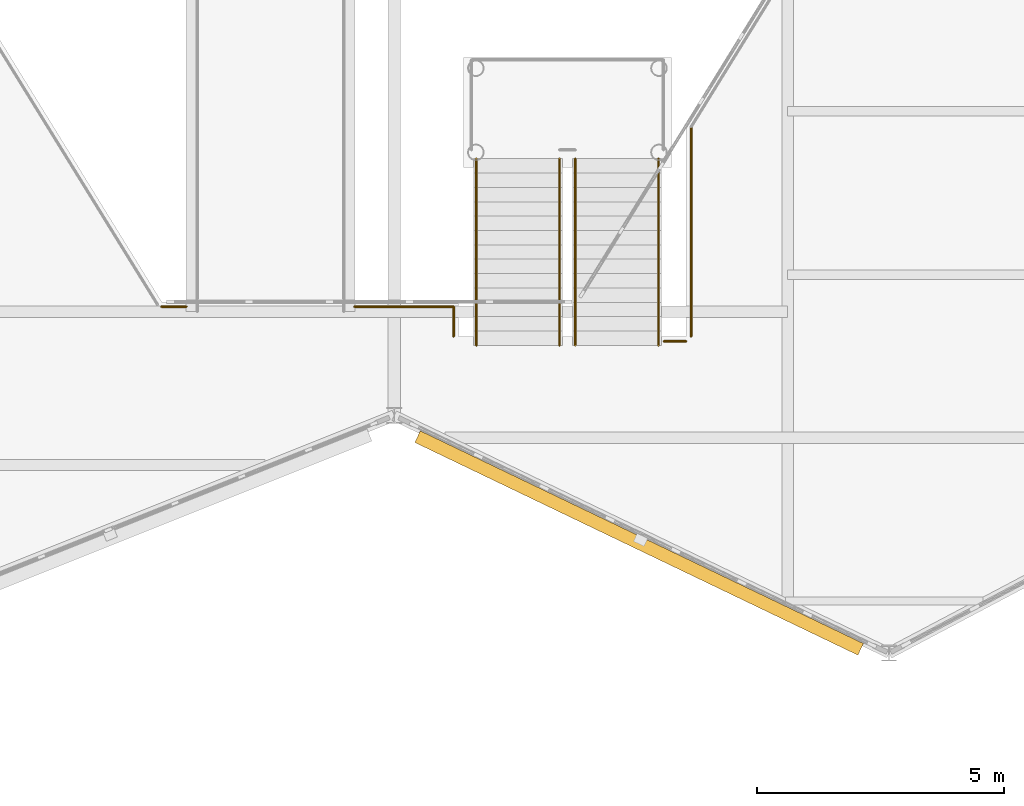
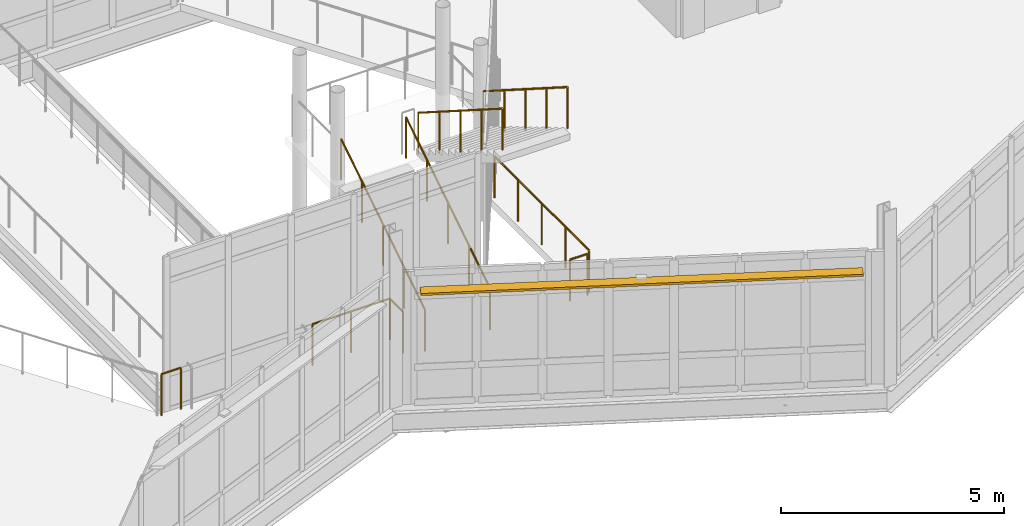
# One storey, part 108 of 114: 9 railings, 1 shading device.
"""IFC4 building model written with IfcOpenShell, lengths in metres."""

from ifc_helpers import new_model, si_unit, direction, frame, origin, origin_2d, place, context, subcontext, project, spatial, rectangle, circle, extrude, material, layer, layer_set, type_object, element, save


model = new_model("IFC4")

# Units and contexts
model_context = context("Model", 3, precision=1e-05, world=origin(), true_north=direction((0.0, 1.0)))
body_context = subcontext(model_context, "Body", "Model", "MODEL_VIEW")
ifc_project = project(units=[si_unit("LENGTHUNIT", "METRE"), si_unit("AREAUNIT", "SQUARE_METRE"), si_unit("VOLUMEUNIT", "CUBIC_METRE"), si_unit("PLANEANGLEUNIT", "RADIAN"), si_unit("MASSUNIT", "GRAM", prefix="KILO")], contexts=[model_context])

# Site, building, storey
site_placement = place(None, origin())
site = spatial("IfcSite", under=ifc_project, at=site_placement, CompositionType="ELEMENT")
building_placement = place(site_placement, origin())
building = spatial("IfcBuilding", under=site, at=building_placement, Name="Tameran Prism Museum", CompositionType="ELEMENT")
storey_placement = place(building_placement, frame((0.0, 0.0, 10.199951171875)))
storey = spatial("IfcBuildingStorey", under=building, at=storey_placement, Name="L02", CompositionType="ELEMENT", Elevation=10.199951171875)

# Railings
ifc_material_1 = material(Name="Laminated Glass and Stainless Steel 316", Category="steel")
ifc_layer_1 = layer(ifc_material_1, 0.06494140625)
ifc_layer_set_1 = layer_set([ifc_layer_1])
railing_type = type_object("IfcRailingType", Name="RL-BAL-1150", PredefinedType="BALUSTRADE", material=ifc_layer_set_1)
for number, where, name in (
    (1, (79.159912109375, 28.820068359375, 0.0), "Atrium Stair Guardrail BL-123"),
    (2, (80.840087890625, 28.820068359375, 0.0), "Atrium Stair Guardrail BL-124"),
):
    element("IfcRailing", number, at=place(storey_placement, frame(where)), inside=storey, type_object=railing_type, Name=name, PredefinedType="BALUSTRADE", context=body_context, shape_type="SweptSolid", body=[
        extrude(circle(Radius=0.02392578125, at=origin_2d()), frame((0.0, 0.0, 1.1259765625), z_axis=(0.0, 0.843555751359, 0.537041613237), x_axis=(-1.0, 0.0, 0.0)), (0.0, 0.0, 1.0), 4.46923828125),
        extrude(circle(Radius=0.02099609375, at=origin_2d()), origin(), (0.0, 0.0, 1.0), 1.101806640625),
        extrude(circle(Radius=0.02099609375, at=origin_2d()), frame((0.0, 0.9423828125, 0.60009765625)), (0.0, 0.0, 1.0), 1.101806640625),
        extrude(circle(Radius=0.02099609375, at=origin_2d()), frame((0.0, 1.885009765625, 1.2001953125)), (0.0, 0.0, 1.0), 1.101806640625),
        extrude(circle(Radius=0.02099609375, at=origin_2d()), frame((0.0, 2.82763671875, 1.800048828125)), (0.0, 0.0, 1.0), 1.101806640625),
        extrude(circle(Radius=0.02099609375, at=origin_2d()), frame((0.0, 3.77001953125, 2.400146484375)), (0.0, 0.0, 1.0), 1.101806640625),
    ])
for number, where, name in (
    (3, (81.159912109375, 32.590087890625, 2.400146484375), "Atrium Stair Guardrail BL-125"),
    (4, (82.840087890625, 32.590087890625, 2.400146484375), "Atrium Stair Guardrail BL-126"),
):
    element("IfcRailing", number, at=place(storey_placement, frame(where)), inside=storey, type_object=railing_type, Name=name, PredefinedType="BALUSTRADE", context=body_context, shape_type="SweptSolid", body=[
        extrude(circle(Radius=0.02392578125, at=origin_2d()), frame((0.0, 0.0, 1.1259765625), z_axis=(0.0, -0.843580498726, 0.537002739443), x_axis=(1.0, 0.0, 0.0)), (0.0, 0.0, 1.0), 4.468994140625),
        extrude(circle(Radius=0.02099609375, at=origin_2d()), origin(), (0.0, 0.0, 1.0), 1.101806640625),
        extrude(circle(Radius=0.02099609375, at=origin_2d()), frame((0.0, -0.9423828125, 0.60009765625)), (0.0, 0.0, 1.0), 1.101806640625),
        extrude(circle(Radius=0.02099609375, at=origin_2d()), frame((0.0, -1.885009765625, 1.199951171875)), (0.0, 0.0, 1.0), 1.101806640625),
        extrude(circle(Radius=0.02099609375, at=origin_2d()), frame((0.0, -2.82763671875, 1.7998046875)), (0.0, 0.0, 1.0), 1.101806640625),
        extrude(circle(Radius=0.02099609375, at=origin_2d()), frame((0.0, -3.77001953125, 2.39990234375)), (0.0, 0.0, 1.0), 1.101806640625),
    ])
railing_1_placement = place(storey_placement, frame((83.5, 33.23388671875, 0.0)))
element("IfcRailing", 5, at=railing_1_placement, inside=storey, type_object=railing_type, Name="Atrium Void Balustrade BL-A016", PredefinedType="BALUSTRADE", context=body_context, shape_type="SweptSolid", body=[
    extrude(circle(Radius=0.02392578125, at=origin_2d()), frame((0.0, 0.0, 1.1259765625), z_axis=(0.0, -1.0, 0.0), x_axis=(1.0, 0.0, 0.0)), (0.0, 0.0, 1.0), 4.23388671875),
    extrude(circle(Radius=0.02099609375, at=origin_2d()), origin(), (0.0, 0.0, 1.0), 1.101806640625),
    extrude(circle(Radius=0.02099609375, at=origin_2d()), frame((0.0, -1.05859375, 0.0)), (0.0, 0.0, 1.0), 1.101806640625),
    extrude(circle(Radius=0.02099609375, at=origin_2d()), frame((0.0, -2.116943359375, 0.0)), (0.0, 0.0, 1.0), 1.101806640625),
    extrude(circle(Radius=0.02099609375, at=origin_2d()), frame((0.0, -3.17529296875, 0.0)), (0.0, 0.0, 1.0), 1.101806640625),
    extrude(circle(Radius=0.02099609375, at=origin_2d()), frame((0.0, -4.23388671875, 0.0)), (0.0, 0.0, 1.0), 1.101806640625),
])
railing_2_placement = place(storey_placement, frame((83.39990234375, 28.89990234375, 0.0)))
element("IfcRailing", 6, at=railing_2_placement, inside=storey, type_object=railing_type, Name="Atrium Void Balustrade BL-A017", PredefinedType="BALUSTRADE", context=body_context, shape_type="SweptSolid", body=[
    extrude(circle(Radius=0.02392578125, at=origin_2d()), frame((0.0, 0.0, 1.1259765625), z_axis=(-1.0, 0.0, 0.0), x_axis=(0.0, -1.0, 0.0)), (0.0, 0.0, 1.0), 0.449951171875),
    extrude(circle(Radius=0.02099609375, at=origin_2d()), origin(), (0.0, 0.0, 1.0), 1.101806640625),
    extrude(circle(Radius=0.02099609375, at=origin_2d()), frame((-0.449951171875, 0.0, 0.0)), (0.0, 0.0, 1.0), 1.101806640625),
])
railing_3_placement = place(storey_placement, frame((78.699951171875, 29.0, 0.0)))
element("IfcRailing", 7, at=railing_3_placement, inside=storey, type_object=railing_type, Name="Atrium Void Balustrade BL-A018", PredefinedType="BALUSTRADE", context=body_context, shape_type="SweptSolid", body=[
    extrude(circle(Radius=0.02392578125, at=origin_2d()), frame((0.0, 0.0, 1.1259765625), z_axis=(0.0, 1.0, 0.0), x_axis=(-1.0, 0.0, 0.0)), (0.0, 0.0, 1.0), 0.60009765625),
    extrude(circle(Radius=0.02099609375, at=origin_2d()), origin(), (0.0, 0.0, 1.0), 1.101806640625),
    extrude(circle(Radius=0.02099609375, at=origin_2d()), frame((0.0, 0.60009765625, 0.0)), (0.0, 0.0, 1.0), 1.101806640625),
])
railing_4_placement = place(storey_placement, frame((78.699951171875, 29.60009765625, 0.0)))
element("IfcRailing", 8, at=railing_4_placement, inside=storey, type_object=railing_type, Name="Atrium Void Balustrade BL-A019", PredefinedType="BALUSTRADE", context=body_context, shape_type="SweptSolid", body=[
    extrude(circle(Radius=0.02392578125, at=origin_2d()), frame((0.0, 0.0, 1.1259765625), z_axis=(-1.0, 0.0, 0.0), x_axis=(0.0, -1.0, 0.0)), (0.0, 0.0, 1.0), 2.0),
    extrude(circle(Radius=0.02099609375, at=origin_2d()), origin(), (0.0, 0.0, 1.0), 1.101806640625),
    extrude(circle(Radius=0.02099609375, at=origin_2d()), frame((-1.0, 0.0, 0.0)), (0.0, 0.0, 1.0), 1.101806640625),
    extrude(circle(Radius=0.02099609375, at=origin_2d()), frame((-2.0, 0.0, 0.0)), (0.0, 0.0, 1.0), 1.101806640625),
])
railing_5_placement = place(storey_placement, frame((73.300048828125, 29.60009765625, 0.0)))
element("IfcRailing", 9, at=railing_5_placement, inside=storey, type_object=railing_type, Name="Atrium Void Balustrade BL-A020", PredefinedType="BALUSTRADE", context=body_context, shape_type="SweptSolid", body=[
    extrude(circle(Radius=0.02392578125, at=origin_2d()), frame((0.0, 0.0, 1.1259765625), z_axis=(-1.0, 0.0, 0.0), x_axis=(0.0, -1.0, 0.0)), (0.0, 0.0, 1.0), 0.5),
    extrude(circle(Radius=0.02099609375, at=origin_2d()), origin(), (0.0, 0.0, 1.0), 1.101806640625),
    extrude(circle(Radius=0.02099609375, at=origin_2d()), frame((-0.5, 0.0, 0.0)), (0.0, 0.0, 1.0), 1.101806640625),
])

# Shading device
ifc_material_2 = material(Name="Anodised Aluminium Alloy 6063-T6", Category="aluminium")
ifc_layer_2 = layer(ifc_material_2, 0.050048828125)
ifc_layer_set_2 = layer_set([ifc_layer_2])
shading_device_type = type_object("IfcShadingDeviceType", Name="SH-LOUV-300", PredefinedType="SHUTTER", material=ifc_layer_set_2)
shading_device_placement = place(storey_placement, frame((82.448974609375, 24.824951171875, 3.14013671875), z_axis=(0.0, 0.0, 1.0), x_axis=(-0.9015306539, 0.43271524133, 0.0)))
element("IfcShadingDevice", 10, at=shading_device_placement, inside=storey, type_object=shading_device_type, Name="Monsoon Storm Louvre SLV-045", PredefinedType="SHUTTER", context=body_context, shape_type="SweptSolid", body=[
    extrude(rectangle(XDim=9.931884765625, YDim=0.260009765625, at=origin_2d()), origin(), (0.0, 0.0, 1.0), 0.06005859375),
])

save(model, "model.ifc")
